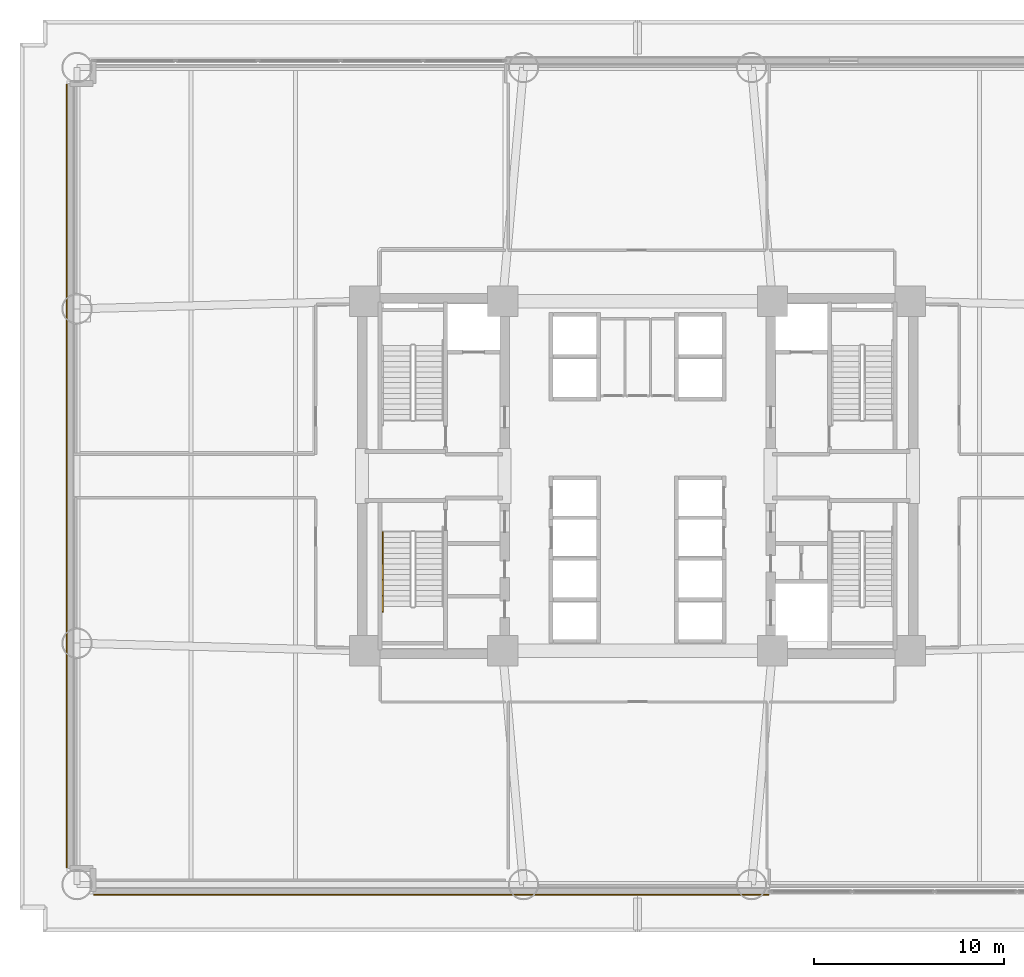
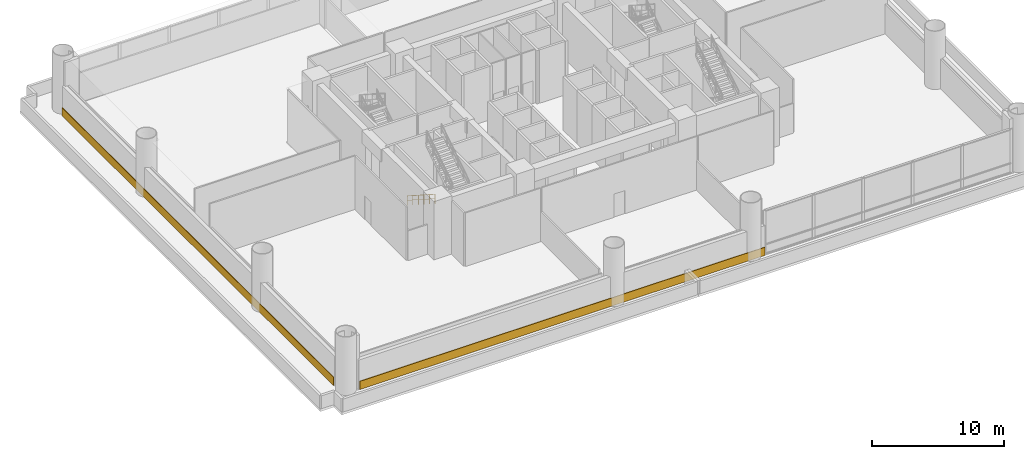
# One storey, part 10 of 12: 2 coverings, 1 railing.
"""IFC4 building model written with IfcOpenShell, lengths in metres."""

import ifcopenshell
import ifcopenshell.guid

model = None  # the IFC model being written
_history = None  # IfcOwnerHistory: only IFC2X3 demands one
_inside = {}  # id of a spatial element -> (the spatial element, [elements in it])
_under = {}  # id of a project, library or spatial element -> (it, [spatial elements below it])
_declared = {}  # id of a project -> (the project, [libraries it declares])
_typed = {}  # id of a type object -> (the type object, [elements of that type])
_made_of = {}  # id of a material, layer set ... -> (it, [elements and type objects made of it])


def new_model(schema):
    """Start an empty IFC model of exactly this schema.

    Asked for "IFC4X3", IfcOpenShell would pick the latest addendum, in which some entities
    have other attributes; the version numbers below select the first issue.
    IFC2X3 requires an IfcOwnerHistory on every rooted entity: one is made here for all.
    """
    global model, _history
    if schema == "IFC4X3":
        model = ifcopenshell.file(schema_version=(4, 3, 0, 0))
    else:
        model = ifcopenshell.file(schema=schema)
    _inside.clear()
    _under.clear()
    _declared.clear()
    _typed.clear()
    _made_of.clear()
    _history = None
    if model.schema == "IFC2X3":
        org = make("IfcOrganization", Name="unknown")
        user = make(
            "IfcPersonAndOrganization",
            ThePerson=make("IfcPerson", FamilyName="unknown"),
            TheOrganization=org,
        )
        app = make(
            "IfcApplication",
            ApplicationDeveloper=org,
            Version="unknown",
            ApplicationFullName="unknown",
            ApplicationIdentifier="unknown",
        )
        _history = make(
            "IfcOwnerHistory",
            OwningUser=user,
            OwningApplication=app,
            ChangeAction="ADDED",
            CreationDate=0,
        )
    return model


def make(cls, **values):
    """One entity of the class cls with the attributes given. An attribute that is None is left unset."""
    return model.create_entity(
        cls, **{name: value for name, value in values.items() if value is not None}
    )


def rooted(cls, **values):
    """An entity with a GlobalId (a new one), such as an element, a storey or a relation."""
    return make(cls, GlobalId=ifcopenshell.guid.new(), OwnerHistory=_history, **values)


def si_unit(unit_type, name, prefix=None):
    """IfcSIUnit, for example si_unit("LENGTHUNIT", "METRE", prefix="MILLI")."""
    return make("IfcSIUnit", UnitType=unit_type, Prefix=prefix, Name=name)


def assignment(units):
    """IfcUnitAssignment: the units of a project."""
    return None if units is None else make("IfcUnitAssignment", Units=units)


def point(xyz):
    """IfcCartesianPoint."""
    return None if xyz is None else make("IfcCartesianPoint", Coordinates=xyz)


def direction(xyz):
    """IfcDirection."""
    return None if xyz is None else make("IfcDirection", DirectionRatios=xyz)


def frame(location, z_axis=None, x_axis=None):
    """IfcAxis2Placement3D, a coordinate frame: its origin and axes. An axis left out is left unset."""
    return make(
        "IfcAxis2Placement3D",
        Location=point(location),
        Axis=direction(z_axis),
        RefDirection=direction(x_axis),
    )


def frame_2d(location, x_axis=None):
    """IfcAxis2Placement2D, a coordinate frame in the plane: its origin and x axis."""
    return make(
        "IfcAxis2Placement2D", Location=point(location), RefDirection=direction(x_axis)
    )


def origin():
    """The frame at (0, 0, 0) with its axes left unset."""
    return frame((0.0, 0.0, 0.0))


def origin_2d():
    """The frame at (0, 0) in the plane with its x axis left unset."""
    return frame_2d((0.0, 0.0))


def place(relative_to, where):
    """IfcLocalPlacement: puts the frame where relative to a parent placement (None: the world)."""
    return make(
        "IfcLocalPlacement", PlacementRelTo=relative_to, RelativePlacement=where
    )


def context(
    kind, dimensions, precision=None, world=None, true_north=None, identifier=None
):
    """IfcGeometricRepresentationContext, for example the 3D "Model" context."""
    return make(
        "IfcGeometricRepresentationContext",
        ContextIdentifier=identifier,
        ContextType=kind,
        CoordinateSpaceDimension=dimensions,
        Precision=precision,
        WorldCoordinateSystem=world,
        TrueNorth=true_north,
    )


def subcontext(parent, identifier, kind, view, scale=None):
    """IfcGeometricRepresentationSubContext, for example "Body" below "Model"."""
    return make(
        "IfcGeometricRepresentationSubContext",
        ContextIdentifier=identifier,
        ContextType=kind,
        ParentContext=parent,
        TargetScale=scale,
        TargetView=view,
    )


def project(units=None, contexts=None):
    """IfcProject with its units and contexts."""
    return rooted(
        "IfcProject",
        Name="project",
        RepresentationContexts=contexts,
        UnitsInContext=assignment(units),
    )


def spatial(cls, under=None, at=None, **own):
    """A site, building, storey or space (cls), placed at a placement, below another one or the project."""
    s = rooted(cls, ObjectPlacement=at, **own)
    if under is not None:
        _under.setdefault(under.id(), (under, []))[1].append(s)
    return s


def profile(cls, at=None, kind="AREA", **sizes):
    """A parametric profile (cls). Its sizes go by their IFC names, for example OverallWidth=200.0."""
    return make(cls, ProfileType=kind, Position=at, **sizes)


def rectangle(**sizes):
    """IfcRectangleProfileDef."""
    return profile("IfcRectangleProfileDef", **sizes)


def extrude(swept, where, along, depth):
    """IfcExtrudedAreaSolid: the profile swept, set in the frame where, extruded along a direction by depth."""
    return make(
        "IfcExtrudedAreaSolid",
        SweptArea=swept,
        Position=where,
        ExtrudedDirection=direction(along),
        Depth=depth,
    )


def shape(context_of_items, identifier, shape_type, items):
    """IfcShapeRepresentation: the items that make up one representation, for example the "Body"."""
    return make(
        "IfcShapeRepresentation",
        ContextOfItems=context_of_items,
        RepresentationIdentifier=identifier,
        RepresentationType=shape_type,
        Items=items,
    )


def source(mapping_origin, context_of_items, identifier, shape_type, items):
    """IfcRepresentationMap: a shape defined once, which mapped items show again and again."""
    return make(
        "IfcRepresentationMap",
        MappingOrigin=mapping_origin,
        MappedRepresentation=shape(context_of_items, identifier, shape_type, items),
    )


def transform(
    local_origin,
    x_axis=None,
    y_axis=None,
    z_axis=None,
    scale=None,
    scale2=None,
    scale3=None,
    uniform=True,
):
    """IfcCartesianTransformationOperator3D, or its non-uniform kind. x_axis, y_axis, z_axis: its Axis1, 2, 3."""
    if uniform:
        return make(
            "IfcCartesianTransformationOperator3D",
            Axis1=direction(x_axis),
            Axis2=direction(y_axis),
            LocalOrigin=point(local_origin),
            Scale=scale,
            Axis3=direction(z_axis),
        )
    return make(
        "IfcCartesianTransformationOperator3DnonUniform",
        Axis1=direction(x_axis),
        Axis2=direction(y_axis),
        LocalOrigin=point(local_origin),
        Scale=scale,
        Axis3=direction(z_axis),
        Scale2=scale2,
        Scale3=scale3,
    )


def mapped(mapping_source, mapping_target):
    """IfcMappedItem: shows the shape of a source again, moved by a transform."""
    return make(
        "IfcMappedItem", MappingSource=mapping_source, MappingTarget=mapping_target
    )


def material(Name=None, Category=None):
    """IfcMaterial."""
    return make("IfcMaterial", Name=Name, Category=Category)


def layer(
    of_material, thickness, ventilated=None, Name=None, Category=None, Priority=None
):
    """IfcMaterialLayer: one layer of a wall or slab, of a material (None: an air gap)."""
    return make(
        "IfcMaterialLayer",
        Material=of_material,
        LayerThickness=thickness,
        IsVentilated=ventilated,
        Name=Name,
        Category=Category,
        Priority=Priority,
    )


def layer_set(layers, Name=None):
    """IfcMaterialLayerSet."""
    return make("IfcMaterialLayerSet", MaterialLayers=layers, LayerSetName=Name)


def made_of(thing, what):
    """Note that an element or type object is made of a material, layer set ...; save() writes the relation."""
    if what is not None:
        _made_of.setdefault(what.id(), (what, []))[1].append(thing)
    return thing


def type_object(cls, material=None, **own):
    """A type object (cls), such as IfcWallType, which elements share."""
    return made_of(rooted(cls, **own), material)


def element(
    cls,
    number,
    at=None,
    inside=None,
    cuts=None,
    type_object=None,
    material=None,
    context=None,
    identifier="Body",
    shape_type=None,
    held_by="IfcProductDefinitionShape",
    body=None,
    shapes=None,
    **own,
):
    """One element of the class cls, such as IfcWall. Its Tag is "e" and its number.

    at: its placement. inside: the storey or other place that contains it. cuts: it is an
    opening in that element (IfcRelVoidsElement). A single representation is given by context,
    identifier, shape_type and body (its items); several are given by shapes. held_by: the class
    of the entity that holds the representations. save() writes the other relations.
    """
    e = rooted(cls, Tag="e%d" % number, ObjectPlacement=at, **own)
    if body is not None:
        shapes = [shape(context, identifier, shape_type, body)]
    if shapes is not None:
        e.Representation = make(held_by, Representations=shapes)
    if inside is not None:
        _inside.setdefault(inside.id(), (inside, []))[1].append(e)
    if cuts is not None:
        rooted(
            "IfcRelVoidsElement", RelatingBuildingElement=cuts, RelatedOpeningElement=e
        )
    if type_object is not None:
        _typed.setdefault(type_object.id(), (type_object, []))[1].append(e)
    return made_of(e, material)


def aggregate(whole, parts):
    """IfcRelAggregates: a whole, such as a stair, and the parts it consists of."""
    return rooted("IfcRelAggregates", RelatingObject=whole, RelatedObjects=parts)


def save(model, path):
    """Write the relations noted so far, then the file.

    IfcRelAggregates (storeys below a building ...), IfcRelContainedInSpatialStructure (elements
    in a storey), IfcRelDefinesByType, IfcRelAssociatesMaterial and IfcRelDeclares: one each for
    every whole, place, type object, material and project.
    """
    for whole, parts in _under.values():
        aggregate(whole, parts)
    for where, things in _inside.values():
        rooted(
            "IfcRelContainedInSpatialStructure",
            RelatedElements=things,
            RelatingStructure=where,
        )
    for kind, things in _typed.values():
        rooted("IfcRelDefinesByType", RelatedObjects=things, RelatingType=kind)
    for what, things in _made_of.values():
        rooted("IfcRelAssociatesMaterial", RelatedObjects=things, RelatingMaterial=what)
    for by, libraries in _declared.values():
        rooted("IfcRelDeclares", RelatingContext=by, RelatedDefinitions=libraries)
    model.write(path)


model = new_model("IFC4")

# Units and contexts
model_context = context("Model", 3, precision=1e-05, world=origin(), true_north=direction((0.0, 1.0)))
body_context = subcontext(model_context, "Body", "Model", "MODEL_VIEW")
ifc_project = project(units=[si_unit("LENGTHUNIT", "METRE"), si_unit("AREAUNIT", "SQUARE_METRE"), si_unit("VOLUMEUNIT", "CUBIC_METRE"), si_unit("PLANEANGLEUNIT", "RADIAN"), si_unit("MASSUNIT", "GRAM", prefix="KILO")], contexts=[model_context])

# Site, building, storey
site_placement = place(None, origin())
site = spatial("IfcSite", under=ifc_project, at=site_placement, CompositionType="ELEMENT")
building_placement = place(site_placement, origin())
building = spatial("IfcBuilding", under=site, at=building_placement, Name="Zahravan Cultural Tower", CompositionType="ELEMENT")
storey_placement = place(building_placement, frame((0.0, 0.0, 18.0)))
storey = spatial("IfcBuildingStorey", under=building, at=storey_placement, Name="L03", CompositionType="ELEMENT", Elevation=18.0)

# Railing
ifc_material_1 = material(Name="Steel ASTM A572 Grade 50", Category="steel")
railing_type = type_object("IfcRailingType", Name="RL-STAIR-HR900", PredefinedType="HANDRAIL", material=ifc_material_1)
railing_placement = place(storey_placement, frame((22.60009765625, 24.050048828125, 0.179931640625)))
element("IfcRailing", 1, at=railing_placement, inside=storey, type_object=railing_type, Name="L03 ST-W2 stair handrail 1", PredefinedType="HANDRAIL", context=body_context, shape_type="SweptSolid", body=[
    extrude(rectangle(XDim=0.05, YDim=0.05, at=origin_2d()), frame((0.0, 0.0, 0.875), z_axis=(0.0, -0.841180064094, 0.540755119968), x_axis=(1.0, 0.0, 0.0)), (0.0, 0.0, 1.0), 4.992919921875),
    extrude(rectangle(XDim=0.032, YDim=0.032, at=origin_2d()), frame((0.0, 0.0, 0.468017578125), z_axis=(0.0, -0.841180064094, 0.540755119968), x_axis=(1.0, 0.0, 0.0)), (0.0, 0.0, 1.0), 4.992919921875),
    extrude(rectangle(XDim=0.04, YDim=0.04, at=origin_2d()), origin(), (0.0, 0.0, 1.0), 0.89990234375),
    extrude(rectangle(XDim=0.04, YDim=0.04, at=origin_2d()), frame((0.0, -0.840087890625, 0.5400390625)), (0.0, 0.0, 1.0), 0.89990234375),
    extrude(rectangle(XDim=0.04, YDim=0.04, at=origin_2d()), frame((0.0, -1.679931640625, 1.080078125)), (0.0, 0.0, 1.0), 0.89990234375),
    extrude(rectangle(XDim=0.04, YDim=0.04, at=origin_2d()), frame((0.0, -2.52001953125, 1.619873046875)), (0.0, 0.0, 1.0), 0.89990234375),
    extrude(rectangle(XDim=0.04, YDim=0.04, at=origin_2d()), frame((0.0, -3.35986328125, 2.159912109375)), (0.0, 0.0, 1.0), 0.89990234375),
    extrude(rectangle(XDim=0.04, YDim=0.04, at=origin_2d()), frame((0.0, -4.199951171875, 2.699951171875)), (0.0, 0.0, 1.0), 0.89990234375),
])

# Coverings
ifc_material_2 = material(Name="Terracotta ceramic cladding", Category="masonry")
ifc_layer = layer(ifc_material_2, 0.06005859375)
ifc_layer_set = layer_set([ifc_layer], Name="Terracotta ceramic cladding")
covering_type = type_object("IfcCoveringType", Name="COV-CLAD-TC60", PredefinedType="CLADDING", material=ifc_layer_set)
shared_shape_1 = source(origin(), body_context, "Body", "SweptSolid", [
    extrude(rectangle(XDim=41.219970703125, YDim=0.06005859375, at=origin_2d()), origin(), (0.0, 0.0, 1.0), 0.760009765625),
])
covering_1_placement = place(storey_placement, frame((5.955078125, 27.0, 0.02001953125), z_axis=(0.0, 0.0, 1.0), x_axis=(0.0, 1.0, 0.0)))
element("IfcCovering", 2, at=covering_1_placement, inside=storey, type_object=covering_type, Name="L03 Terracotta Spandrel Cladding 07", PredefinedType="CLADDING", context=body_context, shape_type="MappedRepresentation", body=[
    mapped(shared_shape_1, transform((0.0, 0.0, 0.0), x_axis=(1.0, 0.0, 0.0), y_axis=(0.0, 1.0, 0.0), z_axis=(0.0, 0.0, 1.0), scale=1.0)),
])
shared_shape_2 = source(origin(), body_context, "Body", "SweptSolid", [
    extrude(rectangle(XDim=35.52490234375, YDim=0.06005859375, at=origin_2d()), origin(), (0.0, 0.0, 1.0), 0.760009765625),
])
covering_2_placement = place(storey_placement, frame((25.152587890625, 4.955078125, 0.02001953125), z_axis=(0.0, 0.0, 1.0), x_axis=(-1.0, 0.0, 0.0)))
element("IfcCovering", 3, at=covering_2_placement, inside=storey, type_object=covering_type, Name="L03 Terracotta Spandrel Cladding 04", PredefinedType="CLADDING", context=body_context, shape_type="MappedRepresentation", body=[
    mapped(shared_shape_2, transform((0.0, 0.0, 0.0), x_axis=(1.0, 0.0, 0.0), y_axis=(0.0, 1.0, 0.0), z_axis=(0.0, 0.0, 1.0), scale=1.0)),
])

save(model, "model.ifc")
